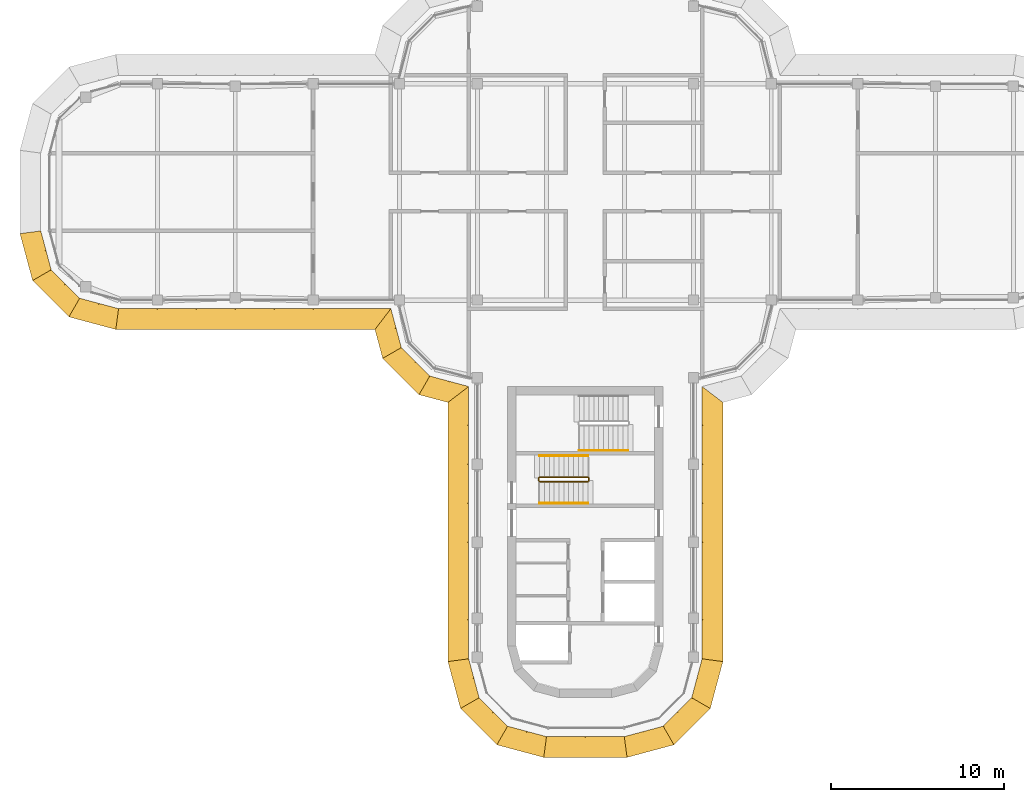
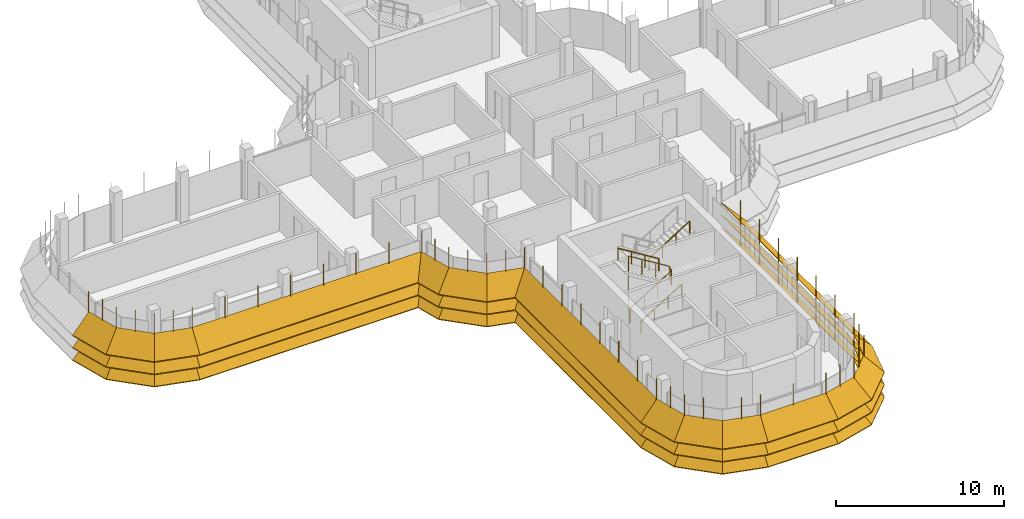
# One storey, part 16 of 19: 8 shading devices, 4 railings.
"""IFC4 building model written with IfcOpenShell, lengths in metres."""

from ifc_helpers import new_model, si_unit, direction, frame, origin, origin_2d, place, context, subcontext, project, spatial, polyline, circle, outline, extrude, faceted_brep, source, transform, mapped, material, type_object, element, save


model = new_model("IFC4")

# Units and contexts
model_context = context("Model", 3, precision=1e-05, world=origin(), true_north=direction((0.0, 1.0)))
body_context = subcontext(model_context, "Body", "Model", "MODEL_VIEW")
ifc_project = project(units=[si_unit("LENGTHUNIT", "METRE"), si_unit("AREAUNIT", "SQUARE_METRE"), si_unit("VOLUMEUNIT", "CUBIC_METRE"), si_unit("PLANEANGLEUNIT", "RADIAN"), si_unit("MASSUNIT", "GRAM", prefix="KILO")], contexts=[model_context])

# Site, building, storey
site_placement = place(None, origin())
site = spatial("IfcSite", under=ifc_project, at=site_placement, CompositionType="ELEMENT")
building_placement = place(site_placement, origin())
building = spatial("IfcBuilding", under=site, at=building_placement, Name="Zarbagh Exchange Tower", CompositionType="ELEMENT")
storey_placement = place(building_placement, frame((0.0, 0.0, 265.0)))
storey = spatial("IfcBuildingStorey", under=building, at=storey_placement, Name="L65", CompositionType="ELEMENT", Elevation=265.0)

# Railings
ifc_material_1 = material(Name="Stainless steel", Category="steel")
railing_type_1 = type_object("IfcRailingType", Name="Stair guard 1100 mm", PredefinedType="GUARDRAIL", material=ifc_material_1)
railing_1_placement = place(storey_placement, frame((-2.64990234375, -16.75, 0.172607421875)))
element("IfcRailing", 1, at=railing_1_placement, inside=storey, type_object=railing_type_1, Name="ST3 stair guard 1", PredefinedType="GUARDRAIL", context=body_context, shape_type="SweptSolid", body=[
    extrude(circle(Radius=0.02392578125, at=origin_2d()), frame((0.0, 0.0, 1.076171875), z_axis=(0.851069175582, 0.0, 0.525053576669), x_axis=(0.0, 1.0, 0.0)), (0.0, 0.0, 1.0), 3.289794921875),
    extrude(circle(Radius=0.02392578125, at=origin_2d()), frame((2.7998046875, 0.0, 2.80322265625), z_axis=(0.707106781187, 0.707106781187, 0.0), x_axis=(-0.707106781187, 0.707106781187, 0.0)), (0.0, 0.0, 1.0), 0.07080078125),
    extrude(circle(Radius=0.02392578125, at=origin_2d()), frame((2.849853515625, 0.050048828125, 2.80322265625), z_axis=(0.0, 1.0, 0.0), x_axis=(-1.0, 0.0, 0.0)), (0.0, 0.0, 1.0), 0.14990234375),
    extrude(circle(Radius=0.02392578125, at=origin_2d()), frame((2.849853515625, 0.199951171875, 2.80322265625), z_axis=(-0.267953482034, 0.267953482034, 0.925419830635), x_axis=(-0.707106781187, -0.707106781187, 0.0)), (0.0, 0.0, 1.0), 0.186767578125),
    extrude(circle(Radius=0.02392578125, at=origin_2d()), frame((2.7998046875, 0.25, 2.97607421875), z_axis=(-0.851069175582, 0.0, 0.525053576669), x_axis=(0.0, -1.0, 0.0)), (0.0, 0.0, 1.0), 3.289794921875),
    extrude(circle(Radius=0.02392578125, at=origin_2d()), frame((0.0, 0.25, 4.70361328125), z_axis=(-0.013168290981, -0.013168290981, -0.999826581076), x_axis=(0.707106781187, -0.707106781187, 0.0)), (0.0, 0.0, 1.0), 3.80078125),
    extrude(circle(Radius=0.02392578125, at=origin_2d()), frame((-0.050048828125, 0.199951171875, 0.9033203125), z_axis=(0.0, -1.0, 0.0), x_axis=(1.0, 0.0, 0.0)), (0.0, 0.0, 1.0), 0.14990234375),
    extrude(circle(Radius=0.02099609375, at=origin_2d()), origin(), (0.0, 0.0, 1.0), 1.052001953125),
    extrude(circle(Radius=0.02099609375, at=origin_2d()), frame((0.933349609375, 0.0, 0.57568359375)), (0.0, 0.0, 1.0), 1.052001953125),
    extrude(circle(Radius=0.02099609375, at=origin_2d()), frame((1.866455078125, 0.0, 1.151611328125)), (0.0, 0.0, 1.0), 1.052001953125),
    extrude(circle(Radius=0.02099609375, at=origin_2d()), frame((2.7998046875, 0.0, 1.727294921875)), (0.0, 0.0, 1.0), 1.052001953125),
    extrude(circle(Radius=0.02099609375, at=origin_2d()), frame((2.849853515625, 0.050048828125, 1.727294921875)), (0.0, 0.0, 1.0), 1.052001953125),
    extrude(circle(Radius=0.02099609375, at=origin_2d()), frame((2.849853515625, 0.199951171875, 1.727294921875)), (0.0, 0.0, 1.0), 1.052001953125),
    extrude(circle(Radius=0.02099609375, at=origin_2d()), frame((2.7998046875, 0.25, 1.900146484375)), (0.0, 0.0, 1.0), 1.052001953125),
    extrude(circle(Radius=0.02099609375, at=origin_2d()), frame((1.866455078125, 0.25, 2.475830078125)), (0.0, 0.0, 1.0), 1.052001953125),
    extrude(circle(Radius=0.02099609375, at=origin_2d()), frame((0.933349609375, 0.25, 3.0517578125)), (0.0, 0.0, 1.0), 1.052001953125),
    extrude(circle(Radius=0.02099609375, at=origin_2d()), frame((0.0, 0.25, 3.62744140625)), (0.0, 0.0, 1.0), 1.052001953125),
    extrude(circle(Radius=0.02099609375, at=origin_2d()), frame((-0.012451171875, 0.237548828125, 2.677490234375)), (0.0, 0.0, 1.0), 1.052001953125),
    extrude(circle(Radius=0.02099609375, at=origin_2d()), frame((-0.02490234375, 0.22509765625, 1.7275390625)), (0.0, 0.0, 1.0), 1.052001953125),
    extrude(circle(Radius=0.02099609375, at=origin_2d()), frame((-0.03759765625, 0.21240234375, 0.77734375)), (0.0, 0.0, 1.0), 1.052001953125),
    extrude(circle(Radius=0.02099609375, at=origin_2d()), frame((-0.050048828125, 0.199951171875, -0.172607421875)), (0.0, 0.0, 1.0), 1.052001953125),
    extrude(circle(Radius=0.02099609375, at=origin_2d()), frame((-0.050048828125, 0.050048828125, -0.172607421875)), (0.0, 0.0, 1.0), 1.052001953125),
])
railing_type_2 = type_object("IfcRailingType", Name="Stair handrail 900 mm", PredefinedType="HANDRAIL", material=ifc_material_1)
railing_2_placement = place(storey_placement, frame((-2.64990234375, -18.0, 0.172607421875)))
element("IfcRailing", 2, at=railing_2_placement, inside=storey, type_object=railing_type_2, Name="ST3 stair handrail 1", PredefinedType="HANDRAIL", context=body_context, shape_type="SweptSolid", body=[
    extrude(circle(Radius=0.02392578125, at=origin_2d()), frame((0.0, 0.0, 0.8759765625), z_axis=(0.851069175582, 0.0, 0.525053576669), x_axis=(0.0, 1.0, 0.0)), (0.0, 0.0, 1.0), 3.289794921875),
    extrude(circle(Radius=0.02099609375, at=origin_2d()), origin(), (0.0, 0.0, 1.0), 0.851806640625),
    extrude(circle(Radius=0.02099609375, at=origin_2d()), frame((0.933349609375, 0.0, 0.57568359375)), (0.0, 0.0, 1.0), 0.851806640625),
    extrude(circle(Radius=0.02099609375, at=origin_2d()), frame((1.866455078125, 0.0, 1.151611328125)), (0.0, 0.0, 1.0), 0.851806640625),
    extrude(circle(Radius=0.02099609375, at=origin_2d()), frame((2.7998046875, 0.0, 1.727294921875)), (0.0, 0.0, 1.0), 0.851806640625),
])
railing_3_placement = place(storey_placement, frame((0.14990234375, -15.25, 2.07275390625)))
element("IfcRailing", 3, at=railing_3_placement, inside=storey, type_object=railing_type_2, Name="ST3 stair handrail 2", PredefinedType="HANDRAIL", context=body_context, shape_type="SweptSolid", body=[
    extrude(circle(Radius=0.02392578125, at=origin_2d()), frame((0.0, 0.0, 0.8759765625), z_axis=(-0.851069175582, 0.0, 0.525053576669), x_axis=(0.0, -1.0, 0.0)), (0.0, 0.0, 1.0), 3.289794921875),
    extrude(circle(Radius=0.02099609375, at=origin_2d()), origin(), (0.0, 0.0, 1.0), 0.851806640625),
    extrude(circle(Radius=0.02099609375, at=origin_2d()), frame((-0.933349609375, 0.0, 0.57568359375)), (0.0, 0.0, 1.0), 0.851806640625),
    extrude(circle(Radius=0.02099609375, at=origin_2d()), frame((-1.866455078125, 0.0, 1.151611328125)), (0.0, 0.0, 1.0), 0.851806640625),
    extrude(circle(Radius=0.02099609375, at=origin_2d()), frame((-2.7998046875, 0.0, 1.727294921875)), (0.0, 0.0, 1.0), 0.851806640625),
])
railing_4_placement = place(storey_placement, frame((-0.35009765625, -14.949951171875, 2.07275390625)))
element("IfcRailing", 4, at=railing_4_placement, inside=storey, type_object=railing_type_2, Name="ST4 stair handrail 2", PredefinedType="HANDRAIL", context=body_context, shape_type="SweptSolid", body=[
    extrude(circle(Radius=0.02392578125, at=origin_2d()), frame((0.0, 0.0, 0.8759765625), z_axis=(0.851089632645, 0.0, 0.525020415988), x_axis=(0.0, 1.0, 0.0)), (0.0, 0.0, 1.0), 3.2900390625),
    extrude(circle(Radius=0.02099609375, at=origin_2d()), origin(), (0.0, 0.0, 1.0), 0.851806640625),
    extrude(circle(Radius=0.02099609375, at=origin_2d()), frame((0.933349609375, 0.0, 0.57568359375)), (0.0, 0.0, 1.0), 0.851806640625),
    extrude(circle(Radius=0.02099609375, at=origin_2d()), frame((1.86669921875, 0.0, 1.151611328125)), (0.0, 0.0, 1.0), 0.851806640625),
    extrude(circle(Radius=0.02099609375, at=origin_2d()), frame((2.800048828125, 0.0, 1.727294921875)), (0.0, 0.0, 1.0), 0.851806640625),
])

# Shading devices
ifc_material_2 = material(Name="Anodised aluminium blades and brackets", Category="aluminium")
shading_device_type = type_object("IfcShadingDeviceType", Name="SUNSHADE louvre band, 45 degree blades", PredefinedType="JALOUSIE", material=ifc_material_2)
shared_shape_1 = source(origin(), body_context, "Body", "Brep", [
    faceted_brep([(0.0, 0.0, 0.0), (0.0, 0.0, -0.056640625), (-0.157958984375, -1.199951171875, -1.256591796875), (-0.157958984375, -1.199951171875, -1.199951171875), (2.65087890625, -1.199951171875, -1.199951171875), (2.65087890625, -1.199951171875, -1.256591796875), (2.329345703125, 0.0, -0.056640625), (2.329345703125, 0.0, 0.0)], [[[0, 1, 2, 3]], [[4, 5, 6, 7]], [[0, 7, 6, 1]], [[1, 6, 5, 2]], [[2, 5, 4, 3]], [[3, 4, 7, 0]]]),
])
shared_shape_2 = source(origin(), body_context, "Body", "Brep", [
    faceted_brep([(0.0, 0.0, 0.0), (0.0, 0.0, -0.056640625), (-0.321533203125, -1.199951171875, -1.256591796875), (-0.321533203125, -1.199951171875, -1.199951171875), (2.65087890625, -1.199951171875, -1.199951171875), (2.65087890625, -1.199951171875, -1.256591796875), (2.329345703125, 0.0, -0.056640625), (2.329345703125, 0.0, 0.0)], [[[0, 1, 2, 3]], [[4, 5, 6, 7]], [[0, 7, 6, 1]], [[1, 6, 5, 2]], [[2, 5, 4, 3]], [[3, 4, 7, 0]]]),
])
shared_shape_3 = source(origin(), body_context, "Body", "Brep", [
    faceted_brep([(0.0, 0.0, 0.0), (0.0, 0.0, -0.056640625), (-0.321533203125, -1.199951171875, -1.256591796875), (-0.321533203125, -1.199951171875, -1.199951171875), (2.4873046875, -1.199951171875, -1.199951171875), (2.4873046875, -1.199951171875, -1.256591796875), (2.329345703125, 0.0, -0.056640625), (2.329345703125, 0.0, 0.0)], [[[0, 1, 2, 3]], [[4, 5, 6, 7]], [[0, 7, 6, 1]], [[1, 6, 5, 2]], [[2, 5, 4, 3]], [[3, 4, 7, 0]]]),
])
shared_shape_4 = source(origin(), body_context, "Body", "SweptSolid", [
    extrude(outline(polyline([(0.0, -0.012451171875), (0.06005859375, -0.012451171875), (0.06005859375, 0.012451171875), (0.0, 0.012451171875), (0.0, -0.012451171875)])), origin(), (0.0, 0.0, 1.0), 3.366455078125),
])
placement = place(storey_placement, origin())
element("IfcShadingDevice", 5, at=placement, inside=storey, type_object=shading_device_type, Name="SS35 sunshade band", PredefinedType="JALOUSIE", context=body_context, shape_type="MappedRepresentation", body=[
    mapped(shared_shape_1, transform((2.25, -31.5, 2.300048828125), x_axis=(0.965924289636, 0.258824779902, 0.0), y_axis=(-0.258824779902, 0.965924289636, 0.0), z_axis=(0.0, 0.0, 1.0))),
    mapped(shared_shape_1, transform((2.25, -31.5, 1.39990234375), x_axis=(0.965924289636, 0.258824779902, 0.0), y_axis=(-0.258824779902, 0.965924289636, 0.0), z_axis=(0.0, 0.0, 1.0))),
    mapped(shared_shape_1, transform((2.25, -31.5, 0.5), x_axis=(0.965924289636, 0.258824779902, 0.0), y_axis=(-0.258824779902, 0.965924289636, 0.0), z_axis=(0.0, 0.0, 1.0))),
    mapped(shared_shape_2, transform((4.5, -30.897216796875, 2.300048828125), x_axis=(0.707106781187, 0.707106781187, 0.0), y_axis=(-0.707106781187, 0.707106781187, 0.0), z_axis=(0.0, 0.0, 1.0))),
    mapped(shared_shape_2, transform((4.5, -30.897216796875, 1.39990234375), x_axis=(0.707106781187, 0.707106781187, 0.0), y_axis=(-0.707106781187, 0.707106781187, 0.0), z_axis=(0.0, 0.0, 1.0))),
    mapped(shared_shape_2, transform((4.5, -30.897216796875, 0.5), x_axis=(0.707106781187, 0.707106781187, 0.0), y_axis=(-0.707106781187, 0.707106781187, 0.0), z_axis=(0.0, 0.0, 1.0))),
    mapped(shared_shape_3, transform((6.147216796875, -29.25, 2.300048828125), x_axis=(0.258824779902, 0.965924289636, 0.0), y_axis=(-0.965924289636, 0.258824779902, 0.0), z_axis=(0.0, 0.0, 1.0))),
    mapped(shared_shape_3, transform((6.147216796875, -29.25, 1.39990234375), x_axis=(0.258824779902, 0.965924289636, 0.0), y_axis=(-0.965924289636, 0.258824779902, 0.0), z_axis=(0.0, 0.0, 1.0))),
    mapped(shared_shape_3, transform((6.147216796875, -29.25, 0.5), x_axis=(0.258824779902, 0.965924289636, 0.0), y_axis=(-0.965924289636, 0.258824779902, 0.0), z_axis=(0.0, 0.0, 1.0))),
    mapped(shared_shape_4, transform((2.25, -31.5, 0.413330078125), x_axis=(0.130529263012, -0.991444457092, 0.0), y_axis=(0.991444457092, 0.130529263012, 0.0), z_axis=(0.0, 0.0, 1.0))),
    mapped(shared_shape_4, transform((3.375, -31.198486328125, 0.413330078125), x_axis=(0.258825058029, -0.96592421511, 0.0), y_axis=(0.96592421511, 0.258825058029, 0.0), z_axis=(0.0, 0.0, 1.0))),
    mapped(shared_shape_4, transform((4.5, -30.897216796875, 0.413330078125), x_axis=(0.50000275701, -0.866023812018, 0.0), y_axis=(0.866023812018, 0.50000275701, 0.0), z_axis=(0.0, 0.0, 1.0))),
    mapped(shared_shape_4, transform((5.323486328125, -30.073486328125, 0.413330078125), x_axis=(0.707106781187, -0.707106781187, 0.0), y_axis=(0.707106781187, 0.707106781187, 0.0), z_axis=(0.0, 0.0, 1.0))),
    mapped(shared_shape_4, transform((6.147216796875, -29.25, 0.413330078125), x_axis=(0.866023812018, -0.50000275701, 0.0), y_axis=(0.50000275701, 0.866023812018, 0.0), z_axis=(0.0, 0.0, 1.0))),
    mapped(shared_shape_4, transform((6.448486328125, -28.125, 0.413330078125), x_axis=(0.96592421511, -0.258825058029, 0.0), y_axis=(0.258825058029, 0.96592421511, 0.0), z_axis=(0.0, 0.0, 1.0))),
])
element("IfcShadingDevice", 6, at=placement, inside=storey, type_object=shading_device_type, Name="SS43 sunshade band", PredefinedType="JALOUSIE", context=body_context, shape_type="MappedRepresentation", body=[
    mapped(shared_shape_1, transform((-31.5, -2.25, 2.300048828125), x_axis=(0.258824779902, -0.965924289636, 0.0), y_axis=(0.965924289636, 0.258824779902, 0.0), z_axis=(0.0, 0.0, 1.0))),
    mapped(shared_shape_1, transform((-31.5, -2.25, 1.39990234375), x_axis=(0.258824779902, -0.965924289636, 0.0), y_axis=(0.965924289636, 0.258824779902, 0.0), z_axis=(0.0, 0.0, 1.0))),
    mapped(shared_shape_1, transform((-31.5, -2.25, 0.5), x_axis=(0.258824779902, -0.965924289636, 0.0), y_axis=(0.965924289636, 0.258824779902, 0.0), z_axis=(0.0, 0.0, 1.0))),
    mapped(shared_shape_2, transform((-30.897216796875, -4.5, 2.300048828125), x_axis=(0.707106781187, -0.707106781187, 0.0), y_axis=(0.707106781187, 0.707106781187, 0.0), z_axis=(0.0, 0.0, 1.0))),
    mapped(shared_shape_2, transform((-30.897216796875, -4.5, 1.39990234375), x_axis=(0.707106781187, -0.707106781187, 0.0), y_axis=(0.707106781187, 0.707106781187, 0.0), z_axis=(0.0, 0.0, 1.0))),
    mapped(shared_shape_2, transform((-30.897216796875, -4.5, 0.5), x_axis=(0.707106781187, -0.707106781187, 0.0), y_axis=(0.707106781187, 0.707106781187, 0.0), z_axis=(0.0, 0.0, 1.0))),
    mapped(shared_shape_3, transform((-29.25, -6.147216796875, 2.300048828125), x_axis=(0.965924289636, -0.258824779902, 0.0), y_axis=(0.258824779902, 0.965924289636, 0.0), z_axis=(0.0, 0.0, 1.0))),
    mapped(shared_shape_3, transform((-29.25, -6.147216796875, 1.39990234375), x_axis=(0.965924289636, -0.258824779902, 0.0), y_axis=(0.258824779902, 0.965924289636, 0.0), z_axis=(0.0, 0.0, 1.0))),
    mapped(shared_shape_3, transform((-29.25, -6.147216796875, 0.5), x_axis=(0.965924289636, -0.258824779902, 0.0), y_axis=(0.258824779902, 0.965924289636, 0.0), z_axis=(0.0, 0.0, 1.0))),
    mapped(shared_shape_4, transform((-31.5, -2.25, 0.413330078125), x_axis=(-0.991444457092, -0.130529263012, 0.0), y_axis=(0.130529263012, -0.991444457092, 0.0), z_axis=(0.0, 0.0, 1.0))),
    mapped(shared_shape_4, transform((-31.198486328125, -3.375, 0.413330078125), x_axis=(-0.96592421511, -0.258825058029, 0.0), y_axis=(0.258825058029, -0.96592421511, 0.0), z_axis=(0.0, 0.0, 1.0))),
    mapped(shared_shape_4, transform((-30.897216796875, -4.5, 0.413330078125), x_axis=(-0.866023812018, -0.50000275701, 0.0), y_axis=(0.50000275701, -0.866023812018, 0.0), z_axis=(0.0, 0.0, 1.0))),
    mapped(shared_shape_4, transform((-30.073486328125, -5.323486328125, 0.413330078125), x_axis=(-0.707106781187, -0.707106781187, 0.0), y_axis=(0.707106781187, -0.707106781187, 0.0), z_axis=(0.0, 0.0, 1.0))),
    mapped(shared_shape_4, transform((-29.25, -6.147216796875, 0.413330078125), x_axis=(-0.50000275701, -0.866023812018, 0.0), y_axis=(0.866023812018, -0.50000275701, 0.0), z_axis=(0.0, 0.0, 1.0))),
    mapped(shared_shape_4, transform((-28.125, -6.448486328125, 0.413330078125), x_axis=(-0.258825058029, -0.96592421511, 0.0), y_axis=(0.96592421511, -0.258825058029, 0.0), z_axis=(0.0, 0.0, 1.0))),
])
element("IfcShadingDevice", 7, at=placement, inside=storey, type_object=shading_device_type, Name="SS38 sunshade band", PredefinedType="JALOUSIE", context=body_context, shape_type="MappedRepresentation", body=[
    mapped(shared_shape_1, transform((-6.75, -27.0, 2.300048828125), x_axis=(0.258824779902, -0.965924289636, 0.0), y_axis=(0.965924289636, 0.258824779902, 0.0), z_axis=(0.0, 0.0, 1.0))),
    mapped(shared_shape_1, transform((-6.75, -27.0, 1.39990234375), x_axis=(0.258824779902, -0.965924289636, 0.0), y_axis=(0.965924289636, 0.258824779902, 0.0), z_axis=(0.0, 0.0, 1.0))),
    mapped(shared_shape_1, transform((-6.75, -27.0, 0.5), x_axis=(0.258824779902, -0.965924289636, 0.0), y_axis=(0.965924289636, 0.258824779902, 0.0), z_axis=(0.0, 0.0, 1.0))),
    mapped(shared_shape_2, transform((-6.147216796875, -29.25, 2.300048828125), x_axis=(0.707106781187, -0.707106781187, 0.0), y_axis=(0.707106781187, 0.707106781187, 0.0), z_axis=(0.0, 0.0, 1.0))),
    mapped(shared_shape_2, transform((-6.147216796875, -29.25, 1.39990234375), x_axis=(0.707106781187, -0.707106781187, 0.0), y_axis=(0.707106781187, 0.707106781187, 0.0), z_axis=(0.0, 0.0, 1.0))),
    mapped(shared_shape_2, transform((-6.147216796875, -29.25, 0.5), x_axis=(0.707106781187, -0.707106781187, 0.0), y_axis=(0.707106781187, 0.707106781187, 0.0), z_axis=(0.0, 0.0, 1.0))),
    mapped(shared_shape_3, transform((-4.5, -30.897216796875, 2.300048828125), x_axis=(0.965924289636, -0.258824779902, 0.0), y_axis=(0.258824779902, 0.965924289636, 0.0), z_axis=(0.0, 0.0, 1.0))),
    mapped(shared_shape_3, transform((-4.5, -30.897216796875, 1.39990234375), x_axis=(0.965924289636, -0.258824779902, 0.0), y_axis=(0.258824779902, 0.965924289636, 0.0), z_axis=(0.0, 0.0, 1.0))),
    mapped(shared_shape_3, transform((-4.5, -30.897216796875, 0.5), x_axis=(0.965924289636, -0.258824779902, 0.0), y_axis=(0.258824779902, 0.965924289636, 0.0), z_axis=(0.0, 0.0, 1.0))),
    mapped(shared_shape_4, transform((-6.75, -27.0, 0.413330078125), x_axis=(-0.991444457092, -0.130529263012, 0.0), y_axis=(0.130529263012, -0.991444457092, 0.0), z_axis=(0.0, 0.0, 1.0))),
    mapped(shared_shape_4, transform((-6.448486328125, -28.125, 0.413330078125), x_axis=(-0.96592421511, -0.258825058029, 0.0), y_axis=(0.258825058029, -0.96592421511, 0.0), z_axis=(0.0, 0.0, 1.0))),
    mapped(shared_shape_4, transform((-6.147216796875, -29.25, 0.413330078125), x_axis=(-0.866023812018, -0.50000275701, 0.0), y_axis=(0.50000275701, -0.866023812018, 0.0), z_axis=(0.0, 0.0, 1.0))),
    mapped(shared_shape_4, transform((-5.323486328125, -30.073486328125, 0.413330078125), x_axis=(-0.707106781187, -0.707106781187, 0.0), y_axis=(0.707106781187, -0.707106781187, 0.0), z_axis=(0.0, 0.0, 1.0))),
    mapped(shared_shape_4, transform((-4.5, -30.897216796875, 0.413330078125), x_axis=(-0.50000275701, -0.866023812018, 0.0), y_axis=(0.866023812018, -0.50000275701, 0.0), z_axis=(0.0, 0.0, 1.0))),
    mapped(shared_shape_4, transform((-3.375, -31.198486328125, 0.413330078125), x_axis=(-0.258825058029, -0.96592421511, 0.0), y_axis=(0.96592421511, -0.258825058029, 0.0), z_axis=(0.0, 0.0, 1.0))),
])
shared_shape_5 = source(origin(), body_context, "Body", "Brep", [
    faceted_brep([(0.0, 0.0, 0.0), (0.0, 0.0, -0.056640625), (0.9208984375, -1.199951171875, -1.256591796875), (0.9208984375, -1.199951171875, -1.199951171875), (2.65087890625, -1.199951171875, -1.199951171875), (2.65087890625, -1.199951171875, -1.256591796875), (2.329345703125, 0.0, -0.056640625), (2.329345703125, 0.0, 0.0)], [[[0, 1, 2, 3]], [[4, 5, 6, 7]], [[0, 7, 6, 1]], [[1, 6, 5, 2]], [[2, 5, 4, 3]], [[3, 4, 7, 0]]]),
])
shared_shape_6 = source(origin(), body_context, "Body", "Brep", [
    faceted_brep([(0.0, 0.0, 0.0), (0.0, 0.0, -0.056640625), (-0.321533203125, -1.199951171875, -1.256591796875), (-0.321533203125, -1.199951171875, -1.199951171875), (1.40869140625, -1.199951171875, -1.199951171875), (1.40869140625, -1.199951171875, -1.256591796875), (2.329345703125, 0.0, -0.056640625), (2.329345703125, 0.0, 0.0)], [[[0, 1, 2, 3]], [[4, 5, 6, 7]], [[0, 7, 6, 1]], [[1, 6, 5, 2]], [[2, 5, 4, 3]], [[3, 4, 7, 0]]]),
])
element("IfcShadingDevice", 8, at=placement, inside=storey, type_object=shading_device_type, Name="SS21 sunshade band", PredefinedType="JALOUSIE", context=body_context, shape_type="MappedRepresentation", body=[
    mapped(shared_shape_5, transform((-11.25, -6.75, 2.300048828125), x_axis=(0.258824779902, -0.965924289636, 0.0), y_axis=(0.965924289636, 0.258824779902, 0.0), z_axis=(0.0, 0.0, 1.0))),
    mapped(shared_shape_5, transform((-11.25, -6.75, 1.39990234375), x_axis=(0.258824779902, -0.965924289636, 0.0), y_axis=(0.965924289636, 0.258824779902, 0.0), z_axis=(0.0, 0.0, 1.0))),
    mapped(shared_shape_5, transform((-11.25, -6.75, 0.5), x_axis=(0.258824779902, -0.965924289636, 0.0), y_axis=(0.965924289636, 0.258824779902, 0.0), z_axis=(0.0, 0.0, 1.0))),
    mapped(shared_shape_2, transform((-10.647216796875, -9.0, 2.300048828125), x_axis=(0.707106781187, -0.707106781187, 0.0), y_axis=(0.707106781187, 0.707106781187, 0.0), z_axis=(0.0, 0.0, 1.0))),
    mapped(shared_shape_2, transform((-10.647216796875, -9.0, 1.39990234375), x_axis=(0.707106781187, -0.707106781187, 0.0), y_axis=(0.707106781187, 0.707106781187, 0.0), z_axis=(0.0, 0.0, 1.0))),
    mapped(shared_shape_2, transform((-10.647216796875, -9.0, 0.5), x_axis=(0.707106781187, -0.707106781187, 0.0), y_axis=(0.707106781187, 0.707106781187, 0.0), z_axis=(0.0, 0.0, 1.0))),
    mapped(shared_shape_6, transform((-9.0, -10.647216796875, 2.300048828125), x_axis=(0.965924289636, -0.258824779902, 0.0), y_axis=(0.258824779902, 0.965924289636, 0.0), z_axis=(0.0, 0.0, 1.0))),
    mapped(shared_shape_6, transform((-9.0, -10.647216796875, 1.39990234375), x_axis=(0.965924289636, -0.258824779902, 0.0), y_axis=(0.258824779902, 0.965924289636, 0.0), z_axis=(0.0, 0.0, 1.0))),
    mapped(shared_shape_6, transform((-9.0, -10.647216796875, 0.5), x_axis=(0.965924289636, -0.258824779902, 0.0), y_axis=(0.258824779902, 0.965924289636, 0.0), z_axis=(0.0, 0.0, 1.0))),
    mapped(shared_shape_4, transform((-11.25, -6.75, 0.413330078125), x_axis=(-0.608758892, -0.793355287, 0.0), y_axis=(0.793355287, -0.608758892, 0.0), z_axis=(0.0, 0.0, 1.0))),
    mapped(shared_shape_4, transform((-10.948486328125, -7.875, 0.413330078125), x_axis=(-0.96592421511, -0.258825058029, 0.0), y_axis=(0.258825058029, -0.96592421511, 0.0), z_axis=(0.0, 0.0, 1.0))),
    mapped(shared_shape_4, transform((-10.647216796875, -9.0, 0.413330078125), x_axis=(-0.866023812018, -0.50000275701, 0.0), y_axis=(0.50000275701, -0.866023812018, 0.0), z_axis=(0.0, 0.0, 1.0))),
    mapped(shared_shape_4, transform((-9.823486328125, -9.823486328125, 0.413330078125), x_axis=(-0.707106781187, -0.707106781187, 0.0), y_axis=(0.707106781187, -0.707106781187, 0.0), z_axis=(0.0, 0.0, 1.0))),
    mapped(shared_shape_4, transform((-9.0, -10.647216796875, 0.413330078125), x_axis=(-0.50000275701, -0.866023812018, 0.0), y_axis=(0.866023812018, -0.50000275701, 0.0), z_axis=(0.0, 0.0, 1.0))),
    mapped(shared_shape_4, transform((-7.875, -10.948486328125, 0.413330078125), x_axis=(-0.258825058029, -0.96592421511, 0.0), y_axis=(0.96592421511, -0.258825058029, 0.0), z_axis=(0.0, 0.0, 1.0))),
])
shared_shape_7 = source(origin(), body_context, "Body", "Brep", [
    faceted_brep([(0.0, 0.0, 0.0), (0.0, 0.0, -0.056640625), (-0.157958984375, -1.199951171875, -1.256591796875), (-0.157958984375, -1.199951171875, -1.199951171875), (14.8291015625, -1.199951171875, -1.199951171875), (14.8291015625, -1.199951171875, -1.256591796875), (15.75, 0.0, -0.056640625), (15.75, 0.0, 0.0)], [[[0, 1, 2, 3]], [[4, 5, 6, 7]], [[0, 7, 6, 1]], [[1, 6, 5, 2]], [[2, 5, 4, 3]], [[3, 4, 7, 0]]]),
])
element("IfcShadingDevice", 9, at=placement, inside=storey, type_object=shading_device_type, Name="SS36 sunshade band", PredefinedType="JALOUSIE", context=body_context, shape_type="MappedRepresentation", body=[
    mapped(shared_shape_7, transform((6.75, -27.0, 2.300048828125), x_axis=(0.0, 1.0, 0.0), y_axis=(-1.0, 0.0, 0.0), z_axis=(0.0, 0.0, 1.0))),
    mapped(shared_shape_7, transform((6.75, -27.0, 1.39990234375), x_axis=(0.0, 1.0, 0.0), y_axis=(-1.0, 0.0, 0.0), z_axis=(0.0, 0.0, 1.0))),
    mapped(shared_shape_7, transform((6.75, -27.0, 0.5), x_axis=(0.0, 1.0, 0.0), y_axis=(-1.0, 0.0, 0.0), z_axis=(0.0, 0.0, 1.0))),
    mapped(shared_shape_4, transform((6.75, -27.0, 0.413330078125), x_axis=(0.991444457092, -0.130529263012, 0.0), y_axis=(0.130529263012, 0.991444457092, 0.0), z_axis=(0.0, 0.0, 1.0))),
    mapped(shared_shape_4, transform((6.75, -24.75, 0.413330078125), x_axis=(1.0, 0.0, 0.0), y_axis=(0.0, 1.0, 0.0), z_axis=(0.0, 0.0, 1.0))),
    mapped(shared_shape_4, transform((6.75, -22.5, 0.413330078125), x_axis=(1.0, 0.0, 0.0), y_axis=(0.0, 1.0, 0.0), z_axis=(0.0, 0.0, 1.0))),
    mapped(shared_shape_4, transform((6.75, -20.25, 0.413330078125), x_axis=(1.0, 0.0, 0.0), y_axis=(0.0, 1.0, 0.0), z_axis=(0.0, 0.0, 1.0))),
    mapped(shared_shape_4, transform((6.75, -18.0, 0.413330078125), x_axis=(1.0, 0.0, 0.0), y_axis=(0.0, 1.0, 0.0), z_axis=(0.0, 0.0, 1.0))),
    mapped(shared_shape_4, transform((6.75, -15.75, 0.413330078125), x_axis=(1.0, 0.0, 0.0), y_axis=(0.0, 1.0, 0.0), z_axis=(0.0, 0.0, 1.0))),
    mapped(shared_shape_4, transform((6.75, -13.5, 0.413330078125), x_axis=(1.0, 0.0, 0.0), y_axis=(0.0, 1.0, 0.0), z_axis=(0.0, 0.0, 1.0))),
])
element("IfcShadingDevice", 10, at=placement, inside=storey, type_object=shading_device_type, Name="SS44 sunshade band", PredefinedType="JALOUSIE", context=body_context, shape_type="MappedRepresentation", body=[
    mapped(shared_shape_7, transform((-27.0, -6.75, 2.300048828125), x_axis=(1.0, 0.0, 0.0), y_axis=(0.0, 1.0, 0.0), z_axis=(0.0, 0.0, 1.0))),
    mapped(shared_shape_7, transform((-27.0, -6.75, 1.39990234375), x_axis=(1.0, 0.0, 0.0), y_axis=(0.0, 1.0, 0.0), z_axis=(0.0, 0.0, 1.0))),
    mapped(shared_shape_7, transform((-27.0, -6.75, 0.5), x_axis=(1.0, 0.0, 0.0), y_axis=(0.0, 1.0, 0.0), z_axis=(0.0, 0.0, 1.0))),
    mapped(shared_shape_4, transform((-27.0, -6.75, 0.413330078125), x_axis=(-0.130529263012, -0.991444457092, 0.0), y_axis=(0.991444457092, -0.130529263012, 0.0), z_axis=(0.0, 0.0, 1.0))),
    mapped(shared_shape_4, transform((-24.75, -6.75, 0.413330078125), x_axis=(0.0, -1.0, 0.0), y_axis=(1.0, 0.0, 0.0), z_axis=(0.0, 0.0, 1.0))),
    mapped(shared_shape_4, transform((-22.5, -6.75, 0.413330078125), x_axis=(0.0, -1.0, 0.0), y_axis=(1.0, 0.0, 0.0), z_axis=(0.0, 0.0, 1.0))),
    mapped(shared_shape_4, transform((-20.25, -6.75, 0.413330078125), x_axis=(0.0, -1.0, 0.0), y_axis=(1.0, 0.0, 0.0), z_axis=(0.0, 0.0, 1.0))),
    mapped(shared_shape_4, transform((-18.0, -6.75, 0.413330078125), x_axis=(0.0, -1.0, 0.0), y_axis=(1.0, 0.0, 0.0), z_axis=(0.0, 0.0, 1.0))),
    mapped(shared_shape_4, transform((-15.75, -6.75, 0.413330078125), x_axis=(0.0, -1.0, 0.0), y_axis=(1.0, 0.0, 0.0), z_axis=(0.0, 0.0, 1.0))),
    mapped(shared_shape_4, transform((-13.5, -6.75, 0.413330078125), x_axis=(0.0, -1.0, 0.0), y_axis=(1.0, 0.0, 0.0), z_axis=(0.0, 0.0, 1.0))),
])
shared_shape_8 = source(origin(), body_context, "Body", "Brep", [
    faceted_brep([(0.0, 0.0, 0.0), (0.0, 0.0, -0.056640625), (0.9208984375, -1.199951171875, -1.256591796875), (0.9208984375, -1.199951171875, -1.199951171875), (15.907958984375, -1.199951171875, -1.199951171875), (15.907958984375, -1.199951171875, -1.256591796875), (15.75, 0.0, -0.056640625), (15.75, 0.0, 0.0)], [[[0, 1, 2, 3]], [[4, 5, 6, 7]], [[0, 7, 6, 1]], [[1, 6, 5, 2]], [[2, 5, 4, 3]], [[3, 4, 7, 0]]]),
])
element("IfcShadingDevice", 11, at=placement, inside=storey, type_object=shading_device_type, Name="SS37 sunshade band", PredefinedType="JALOUSIE", context=body_context, shape_type="MappedRepresentation", body=[
    mapped(shared_shape_8, transform((-6.75, -11.25, 2.300048828125), x_axis=(0.0, -1.0, 0.0), y_axis=(1.0, 0.0, 0.0), z_axis=(0.0, 0.0, 1.0))),
    mapped(shared_shape_8, transform((-6.75, -11.25, 1.39990234375), x_axis=(0.0, -1.0, 0.0), y_axis=(1.0, 0.0, 0.0), z_axis=(0.0, 0.0, 1.0))),
    mapped(shared_shape_8, transform((-6.75, -11.25, 0.5), x_axis=(0.0, -1.0, 0.0), y_axis=(1.0, 0.0, 0.0), z_axis=(0.0, 0.0, 1.0))),
    mapped(shared_shape_4, transform((-6.75, -11.25, 0.413330078125), x_axis=(-0.793355287, -0.608758892, 0.0), y_axis=(0.608758892, -0.793355287, 0.0), z_axis=(0.0, 0.0, 1.0))),
    mapped(shared_shape_4, transform((-6.75, -13.5, 0.413330078125), x_axis=(-1.0, 0.0, 0.0), y_axis=(0.0, -1.0, 0.0), z_axis=(0.0, 0.0, 1.0))),
    mapped(shared_shape_4, transform((-6.75, -15.75, 0.413330078125), x_axis=(-1.0, 0.0, 0.0), y_axis=(0.0, -1.0, 0.0), z_axis=(0.0, 0.0, 1.0))),
    mapped(shared_shape_4, transform((-6.75, -18.0, 0.413330078125), x_axis=(-1.0, 0.0, 0.0), y_axis=(0.0, -1.0, 0.0), z_axis=(0.0, 0.0, 1.0))),
    mapped(shared_shape_4, transform((-6.75, -20.25, 0.413330078125), x_axis=(-1.0, 0.0, 0.0), y_axis=(0.0, -1.0, 0.0), z_axis=(0.0, 0.0, 1.0))),
    mapped(shared_shape_4, transform((-6.75, -22.5, 0.413330078125), x_axis=(-1.0, 0.0, 0.0), y_axis=(0.0, -1.0, 0.0), z_axis=(0.0, 0.0, 1.0))),
    mapped(shared_shape_4, transform((-6.75, -24.75, 0.413330078125), x_axis=(-1.0, 0.0, 0.0), y_axis=(0.0, -1.0, 0.0), z_axis=(0.0, 0.0, 1.0))),
])
shared_shape_9 = source(origin(), body_context, "Body", "Brep", [
    faceted_brep([(0.0, 0.0, 0.0), (0.0, 0.0, -0.056640625), (-0.157958984375, -1.199951171875, -1.256591796875), (-0.157958984375, -1.199951171875, -1.199951171875), (4.657958984375, -1.199951171875, -1.199951171875), (4.657958984375, -1.199951171875, -1.256591796875), (4.5, 0.0, -0.056640625), (4.5, 0.0, 0.0)], [[[0, 1, 2, 3]], [[4, 5, 6, 7]], [[0, 7, 6, 1]], [[1, 6, 5, 2]], [[2, 5, 4, 3]], [[3, 4, 7, 0]]]),
])
element("IfcShadingDevice", 12, at=placement, inside=storey, type_object=shading_device_type, Name="SS39 sunshade band", PredefinedType="JALOUSIE", context=body_context, shape_type="MappedRepresentation", body=[
    mapped(shared_shape_9, transform((-2.25, -31.5, 2.300048828125), x_axis=(1.0, 0.0, 0.0), y_axis=(0.0, 1.0, 0.0), z_axis=(0.0, 0.0, 1.0))),
    mapped(shared_shape_9, transform((-2.25, -31.5, 1.39990234375), x_axis=(1.0, 0.0, 0.0), y_axis=(0.0, 1.0, 0.0), z_axis=(0.0, 0.0, 1.0))),
    mapped(shared_shape_9, transform((-2.25, -31.5, 0.5), x_axis=(1.0, 0.0, 0.0), y_axis=(0.0, 1.0, 0.0), z_axis=(0.0, 0.0, 1.0))),
    mapped(shared_shape_4, transform((-2.25, -31.5, 0.413330078125), x_axis=(-0.130529263012, -0.991444457092, 0.0), y_axis=(0.991444457092, -0.130529263012, 0.0), z_axis=(0.0, 0.0, 1.0))),
    mapped(shared_shape_4, transform((0.0, -31.5, 0.413330078125), x_axis=(0.0, -1.0, 0.0), y_axis=(1.0, 0.0, 0.0), z_axis=(0.0, 0.0, 1.0))),
])

save(model, "model.ifc")
